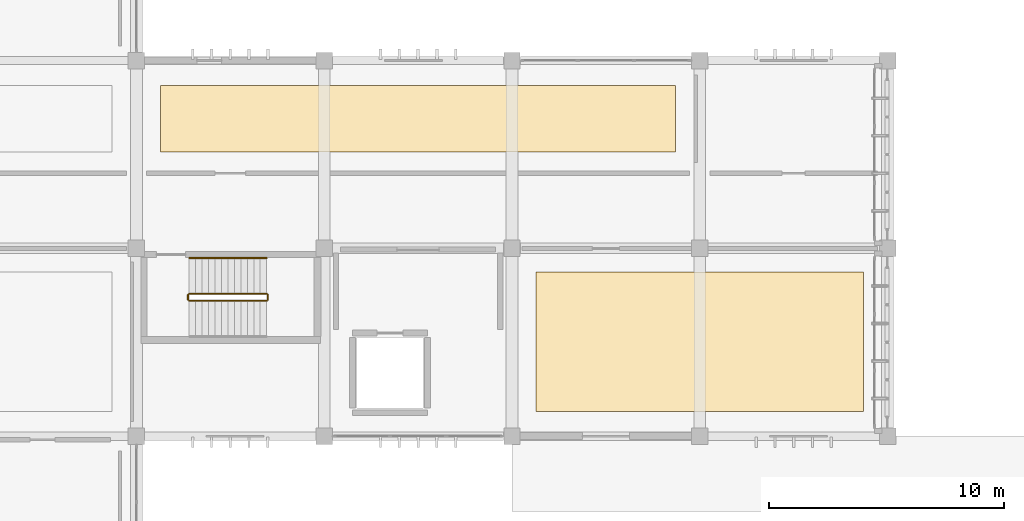
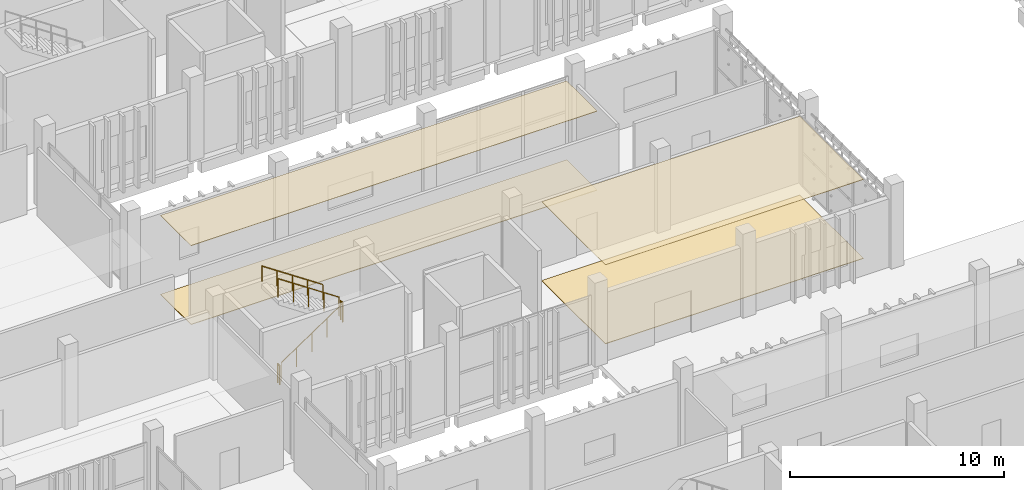
# One storey, part 108 of 117: 5 railings, 4 coverings.
"""IFC4 building model written with IfcOpenShell, lengths in metres."""

from ifc_helpers import new_model, si_unit, direction, frame, origin, origin_2d, place, context, subcontext, project, spatial, polyline, circle, outline, extrude, material, layer, layer_set, type_object, element, save


model = new_model("IFC4")

# Units and contexts
model_context = context("Model", 3, precision=1e-05, world=origin(), true_north=direction((0.0, 1.0)))
body_context = subcontext(model_context, "Body", "Model", "MODEL_VIEW")
ifc_project = project(units=[si_unit("LENGTHUNIT", "METRE"), si_unit("AREAUNIT", "SQUARE_METRE"), si_unit("VOLUMEUNIT", "CUBIC_METRE"), si_unit("PLANEANGLEUNIT", "RADIAN"), si_unit("MASSUNIT", "GRAM", prefix="KILO")], contexts=[model_context])

# Site, building, storey
site_placement = place(None, origin())
site = spatial("IfcSite", under=ifc_project, at=site_placement, CompositionType="ELEMENT")
building_placement = place(site_placement, origin())
building = spatial("IfcBuilding", under=site, at=building_placement, Name="Jelvoka-Kovrelna Polytechnic", CompositionType="ELEMENT")
storey_placement = place(building_placement, origin())
storey = spatial("IfcBuildingStorey", under=building, at=storey_placement, Name="L01", CompositionType="ELEMENT", Elevation=0.0)

# Coverings
ifc_material_1 = material(Name="Mineral fibre acoustic ceiling tile")
ifc_layer_1 = layer(ifc_material_1, 0.02490234375)
ifc_layer_set_1 = layer_set([ifc_layer_1], Name="Mineral fibre acoustic ceiling tile")
covering_type_1 = type_object("IfcCoveringType", Name="Covering_Acoustic_Ceiling_25", PredefinedType="CEILING", material=ifc_layer_set_1)
covering_1_placement = place(storey_placement, frame((0.0, 0.0, 4.510009765625)))
element("IfcCovering", 1, at=covering_1_placement, inside=storey, type_object=covering_type_1, Name="L01 acoustic ceiling 004", PredefinedType="CEILING", context=body_context, shape_type="SweptSolid", body=[
    extrude(outline(polyline([(97.030029296875, 33.050048828125), (110.969970703125, 33.050048828125), (110.969970703125, 39.0), (97.030029296875, 39.0), (97.030029296875, 33.050048828125)])), origin(), (0.0, 0.0, 1.0), 0.02490234375),
])
covering_2_placement = place(storey_placement, frame((0.0, 0.0, 4.510009765625)))
element("IfcCovering", 2, at=covering_2_placement, inside=storey, type_object=covering_type_1, Name="L01 acoustic ceiling 006", PredefinedType="CEILING", context=body_context, shape_type="SweptSolid", body=[
    extrude(outline(polyline([(81.030029296875, 44.10009765625), (102.969970703125, 44.10009765625), (102.969970703125, 46.949951171875), (81.030029296875, 46.949951171875), (81.030029296875, 44.10009765625)])), origin(), (0.0, 0.0, 1.0), 0.02490234375),
])
ifc_material_2 = material(Name="Polished epoxy terrazzo flooring")
ifc_layer_2 = layer(ifc_material_2, 0.030029296875)
ifc_layer_set_2 = layer_set([ifc_layer_2], Name="Polished epoxy terrazzo flooring")
covering_type_2 = type_object("IfcCoveringType", Name="Covering_Terrazzo_Floor_30", PredefinedType="FLOORING", material=ifc_layer_set_2)
covering_3_placement = place(storey_placement, origin())
element("IfcCovering", 3, at=covering_3_placement, inside=storey, type_object=covering_type_2, Name="L01 terrazzo floor finish 004", PredefinedType="FLOORING", context=body_context, shape_type="SweptSolid", body=[
    extrude(outline(polyline([(97.030029296875, 33.050048828125), (110.969970703125, 33.050048828125), (110.969970703125, 39.0), (97.030029296875, 39.0), (97.030029296875, 33.050048828125)])), origin(), (0.0, 0.0, 1.0), 0.030029296875),
])
covering_4_placement = place(storey_placement, origin())
element("IfcCovering", 4, at=covering_4_placement, inside=storey, type_object=covering_type_2, Name="L01 terrazzo floor finish 006", PredefinedType="FLOORING", context=body_context, shape_type="SweptSolid", body=[
    extrude(outline(polyline([(81.030029296875, 44.10009765625), (102.969970703125, 44.10009765625), (102.969970703125, 46.949951171875), (81.030029296875, 46.949951171875), (81.030029296875, 44.10009765625)])), origin(), (0.0, 0.0, 1.0), 0.030029296875),
])

# Railings
ifc_material_3 = material(Name="Powder-coated steel stair guard", Category="steel")
railing_type_1 = type_object("IfcRailingType", Name="Railing_Stair_Guard_1100", PredefinedType="GUARDRAIL", material=ifc_material_3)
railing_1_placement = place(storey_placement, frame((82.25, 37.77001953125, 0.1845703125)))
element("IfcRailing", 5, at=railing_1_placement, inside=storey, type_object=railing_type_1, Name="L01 ST07 stair guard 1", PredefinedType="GUARDRAIL", context=body_context, shape_type="SweptSolid", body=[
    extrude(circle(Radius=0.02392578125, at=origin_2d()), frame((0.0, 0.0, 1.076171875), z_axis=(0.830269453126, 0.0, 0.557362211857), x_axis=(0.0, 1.0, 0.0)), (0.0, 0.0, 1.0), 3.974609375),
    extrude(circle(Radius=0.02099609375, at=origin_2d()), origin(), (0.0, 0.0, 1.0), 1.052001953125),
    extrude(circle(Radius=0.02099609375, at=origin_2d()), frame((0.824951171875, 0.0, 0.5537109375)), (0.0, 0.0, 1.0), 1.052001953125),
    extrude(circle(Radius=0.02099609375, at=origin_2d()), frame((1.64990234375, 0.0, 1.107666015625)), (0.0, 0.0, 1.0), 1.052001953125),
    extrude(circle(Radius=0.02099609375, at=origin_2d()), frame((2.47509765625, 0.0, 1.66162109375)), (0.0, 0.0, 1.0), 1.052001953125),
    extrude(circle(Radius=0.02099609375, at=origin_2d()), frame((3.300048828125, 0.0, 2.21533203125)), (0.0, 0.0, 1.0), 1.052001953125),
])
railing_2_placement = place(storey_placement, frame((85.60009765625, 37.820068359375, 2.39990234375)))
element("IfcRailing", 6, at=railing_2_placement, inside=storey, type_object=railing_type_1, Name="L01 ST07 stair guard 2", PredefinedType="GUARDRAIL", context=body_context, shape_type="SweptSolid", body=[
    extrude(circle(Radius=0.02392578125, at=origin_2d()), frame((0.0, 0.0, 1.076171875), z_axis=(0.0, 1.0, 0.0), x_axis=(-1.0, 0.0, 0.0)), (0.0, 0.0, 1.0), 0.199951171875),
    extrude(circle(Radius=0.02099609375, at=origin_2d()), origin(), (0.0, 0.0, 1.0), 1.052001953125),
    extrude(circle(Radius=0.02099609375, at=origin_2d()), frame((0.0, 0.199951171875, 0.0)), (0.0, 0.0, 1.0), 1.052001953125),
])
railing_3_placement = place(storey_placement, frame((85.550048828125, 38.070068359375, 2.584716796875)))
element("IfcRailing", 7, at=railing_3_placement, inside=storey, type_object=railing_type_1, Name="L01 ST07 stair guard 3", PredefinedType="GUARDRAIL", context=body_context, shape_type="SweptSolid", body=[
    extrude(circle(Radius=0.02392578125, at=origin_2d()), frame((0.0, 0.0, 1.076171875), z_axis=(-0.830269453126, 0.0, 0.557362211857), x_axis=(0.0, -1.0, 0.0)), (0.0, 0.0, 1.0), 3.974609375),
    extrude(circle(Radius=0.02099609375, at=origin_2d()), origin(), (0.0, 0.0, 1.0), 1.052001953125),
    extrude(circle(Radius=0.02099609375, at=origin_2d()), frame((-0.824951171875, 0.0, 0.5537109375)), (0.0, 0.0, 1.0), 1.052001953125),
    extrude(circle(Radius=0.02099609375, at=origin_2d()), frame((-1.64990234375, 0.0, 1.107666015625)), (0.0, 0.0, 1.0), 1.052001953125),
    extrude(circle(Radius=0.02099609375, at=origin_2d()), frame((-2.47509765625, 0.0, 1.66162109375)), (0.0, 0.0, 1.0), 1.052001953125),
    extrude(circle(Radius=0.02099609375, at=origin_2d()), frame((-3.300048828125, 0.0, 2.21533203125)), (0.0, 0.0, 1.0), 1.052001953125),
])
railing_4_placement = place(storey_placement, frame((82.199951171875, 37.820068359375, 0.0)))
element("IfcRailing", 8, at=railing_4_placement, inside=storey, type_object=railing_type_1, Name="L01 ST07 stair guard 4", PredefinedType="GUARDRAIL", context=body_context, shape_type="SweptSolid", body=[
    extrude(circle(Radius=0.02392578125, at=origin_2d()), frame((0.0, 0.0, 1.076171875), z_axis=(0.0, 1.0, 0.0), x_axis=(-1.0, 0.0, 0.0)), (0.0, 0.0, 1.0), 0.199951171875),
    extrude(circle(Radius=0.02099609375, at=origin_2d()), origin(), (0.0, 0.0, 1.0), 1.052001953125),
    extrude(circle(Radius=0.02099609375, at=origin_2d()), frame((0.0, 0.199951171875, 0.0)), (0.0, 0.0, 1.0), 1.052001953125),
])
ifc_material_4 = material(Name="Brushed stainless steel handrail", Category="steel")
railing_type_2 = type_object("IfcRailingType", Name="Railing_Stair_Handrail_900", PredefinedType="HANDRAIL", material=ifc_material_4)
railing_5_placement = place(storey_placement, frame((85.550048828125, 39.590087890625, 2.584716796875)))
element("IfcRailing", 9, at=railing_5_placement, inside=storey, type_object=railing_type_2, Name="L01 ST07 stair handrail 2", PredefinedType="HANDRAIL", context=body_context, shape_type="SweptSolid", body=[
    extrude(circle(Radius=0.02392578125, at=origin_2d()), frame((0.0, 0.0, 0.8759765625), z_axis=(-0.830269453126, 0.0, 0.557362211857), x_axis=(0.0, -1.0, 0.0)), (0.0, 0.0, 1.0), 3.974609375),
    extrude(circle(Radius=0.02099609375, at=origin_2d()), origin(), (0.0, 0.0, 1.0), 0.851806640625),
    extrude(circle(Radius=0.02099609375, at=origin_2d()), frame((-0.824951171875, 0.0, 0.5537109375)), (0.0, 0.0, 1.0), 0.851806640625),
    extrude(circle(Radius=0.02099609375, at=origin_2d()), frame((-1.64990234375, 0.0, 1.107666015625)), (0.0, 0.0, 1.0), 0.851806640625),
    extrude(circle(Radius=0.02099609375, at=origin_2d()), frame((-2.47509765625, 0.0, 1.66162109375)), (0.0, 0.0, 1.0), 0.851806640625),
    extrude(circle(Radius=0.02099609375, at=origin_2d()), frame((-3.300048828125, 0.0, 2.21533203125)), (0.0, 0.0, 1.0), 0.851806640625),
])

save(model, "model.ifc")
